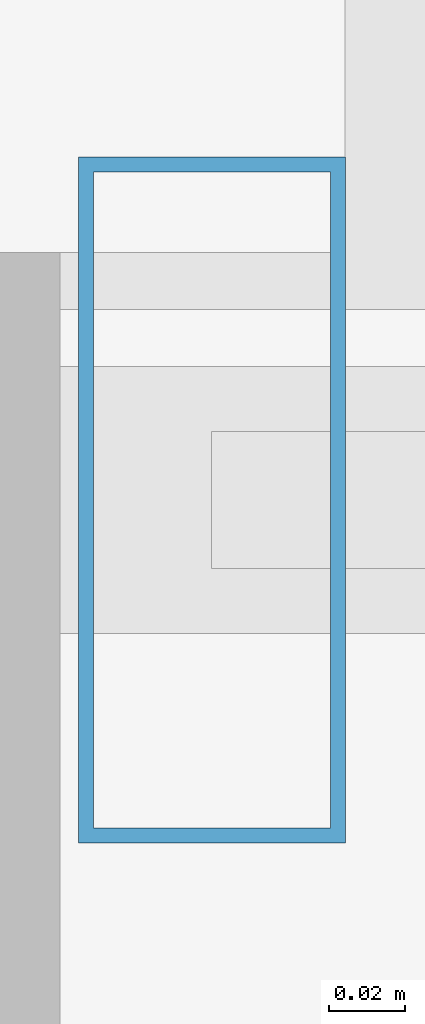
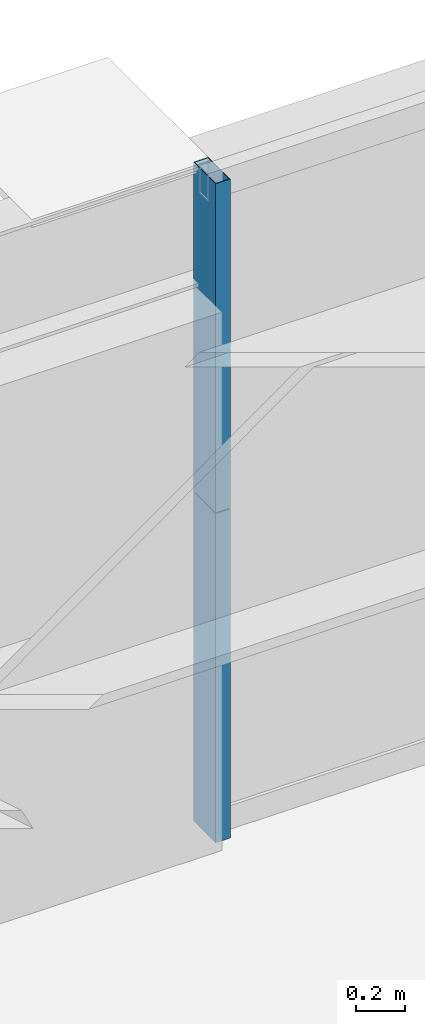
# One storey, part 29 of 45: 2 members, 1 element without a shape of its own.
"""IFC4 building model written with IfcOpenShell, lengths in metres."""

from ifc_helpers import new_model, si_unit, direction, frame, origin, origin_2d, place, context, subcontext, project, spatial, hollow_rectangle, extrude, source, transform, mapped, material, layer, layer_set, material_profile, profile_set, type_object, element, aggregate, save


model = new_model("IFC4")

# Units and contexts
model_context = context("Model", 3, precision=1e-05, world=origin(), true_north=direction((0.0, 1.0)))
body_context = subcontext(model_context, "Body", "Model", "MODEL_VIEW")
ifc_project = project(units=[si_unit("LENGTHUNIT", "METRE"), si_unit("AREAUNIT", "SQUARE_METRE"), si_unit("VOLUMEUNIT", "CUBIC_METRE"), si_unit("PLANEANGLEUNIT", "RADIAN"), si_unit("MASSUNIT", "GRAM", prefix="KILO"), si_unit("THERMODYNAMICTEMPERATUREUNIT", "KELVIN"), si_unit("POWERUNIT", "WATT")], contexts=[model_context])

# Site, building, storey
site_placement = place(None, origin())
site = spatial("IfcSite", under=ifc_project, at=site_placement, CompositionType="ELEMENT")
building_placement = place(site_placement, origin())
building = spatial("IfcBuilding", under=site, at=building_placement, Name="Yuzanri Waterfront Tower", CompositionType="ELEMENT")
storey_placement = place(building_placement, frame((0.0, 0.0, 163.199951171875)))
storey = spatial("IfcBuildingStorey", under=building, at=storey_placement, Name="L43", CompositionType="ELEMENT", Elevation=163.199951171875)

# Curtain wall, members
ifc_material_1 = material(Name="Anodized Architectural Bronze", Category="metal")
ifc_layer = layer(ifc_material_1, 0.159912109375)
ifc_layer_set = layer_set([ifc_layer], Name="Anodized Architectural Bronze")
curtain_wall_type = type_object("IfcCurtainWallType", Name="Anodized Bronze Hotel Upper-Tier Solar-Control Unitized Curtain Wall 7800", PredefinedType="NOTDEFINED", material=ifc_layer_set)
curtain_wall_placement = place(storey_placement, origin())
curtain_wall = element("IfcCurtainWall", 1, at=curtain_wall_placement, inside=storey, type_object=curtain_wall_type, Name="L43 Curtain Wall CW-L43-NL", PredefinedType="NOTDEFINED")
ifc_material_2 = material(Name="Anodized Architectural Bronze", Category="metal")
ifc_material_profile = material_profile(ifc_material_2, hollow_rectangle(XDim=0.070068359375, YDim=0.179931640625, WallThickness=0.00390625, at=origin_2d()), Name="CWM 70x180")
ifc_profile_set = profile_set([ifc_material_profile], Name="Anodized Architectural Bronze")
member_type = type_object("IfcMemberType", Name="Anodized Bronze Standard Curtain-Wall Mullion 70x180", PredefinedType="MULLION", material=ifc_profile_set)
shared_shape = source(origin(), body_context, "Body", "SweptSolid", [
    extrude(hollow_rectangle(XDim=0.070068359375, YDim=0.179931640625, WallThickness=0.00390625, at=origin_2d()), origin(), (0.0, 0.0, 1.0), 1.64794921875),
])
member_1_placement = place(storey_placement, frame((20.7900390625, 49.25, 0.0), z_axis=(0.0, 0.0, 1.0), x_axis=(1.0, 0.0, 0.0)))
member_1 = element("IfcMember", 2, at=member_1_placement, type_object=member_type, Name="CW-L43-NL Lower Mullion 00", PredefinedType="MULLION", context=body_context, shape_type="MappedRepresentation", body=[
    mapped(shared_shape, transform((0.0, 0.0, 0.0), scale=1.0)),
])
member_2_placement = place(storey_placement, frame((20.7900390625, 49.25, 1.652099609375), z_axis=(0.0, 0.0, 1.0), x_axis=(1.0, 0.0, 0.0)))
member_2 = element("IfcMember", 3, at=member_2_placement, type_object=member_type, Name="CW-L43-NL Upper Mullion 00", PredefinedType="MULLION", context=body_context, shape_type="MappedRepresentation", body=[
    mapped(shared_shape, transform((0.0, 0.0, 0.0), scale=1.0)),
])
aggregate(curtain_wall, [member_1, member_2])

save(model, "model.ifc")
